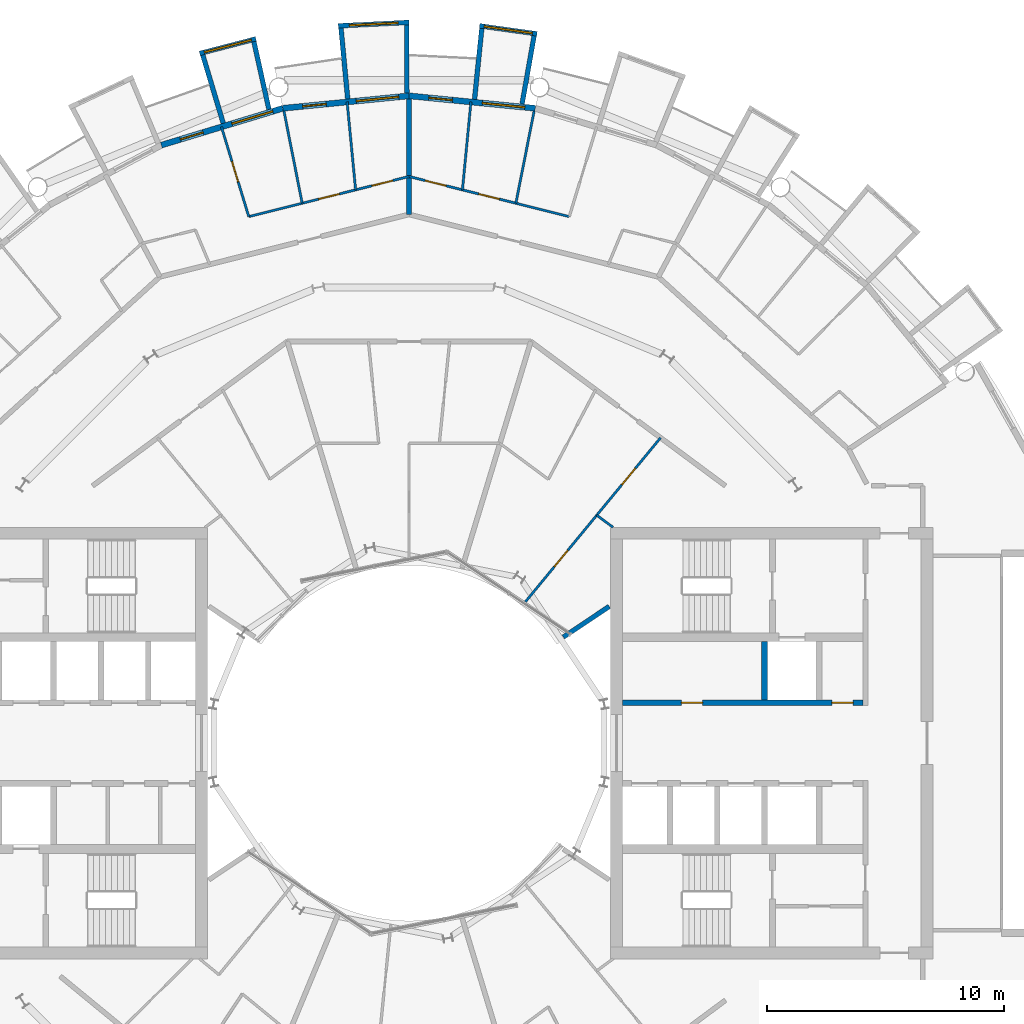
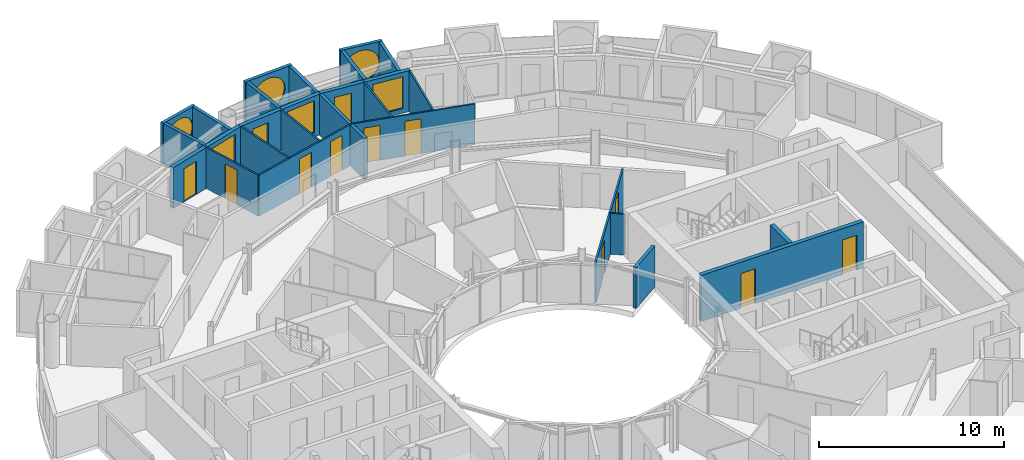
# One storey, part 21 of 27: 25 walls, 12 doors, 6 windows, 18 openings.
"""IFC4 building model written with IfcOpenShell, lengths in metres."""

from ifc_helpers import new_model, si_unit, direction, frame, frame_2d, origin, place, context, subcontext, project, spatial, rectangle, circle, extrude, material, layer, layer_set, type_object, element, fill, save


model = new_model("IFC4")

# Units and contexts
model_context = context("Model", 3, precision=1e-05, world=origin(), true_north=direction((0.0, 1.0)))
body_context = subcontext(model_context, "Body", "Model", "MODEL_VIEW")
ifc_project = project(units=[si_unit("LENGTHUNIT", "METRE"), si_unit("AREAUNIT", "SQUARE_METRE"), si_unit("VOLUMEUNIT", "CUBIC_METRE"), si_unit("PLANEANGLEUNIT", "RADIAN"), si_unit("MASSUNIT", "GRAM", prefix="KILO")], contexts=[model_context])

# Site, building, storey
site_placement = place(None, origin())
site = spatial("IfcSite", under=ifc_project, at=site_placement, CompositionType="ELEMENT")
building_placement = place(site_placement, origin())
building = spatial("IfcBuilding", under=site, at=building_placement, Name="Maasbend Ring Residences", CompositionType="ELEMENT")
storey_placement = place(building_placement, frame((0.0, 0.0, 151.300048828125)))
storey = spatial("IfcBuildingStorey", under=building, at=storey_placement, Name="L43", CompositionType="ELEMENT", Elevation=151.300048828125)

# Wall, openings, doors
ifc_material_1 = material(Name="Concrete C60/75", Category="concrete")
ifc_layer_1 = layer(ifc_material_1, 0.25)
ifc_layer_set_1 = layer_set([ifc_layer_1], Name="Concrete C60/75")
wall_type_1 = type_object("IfcWallType", Name="CORE WALL 250 C60/75", PredefinedType="SHEAR", material=ifc_layer_set_1)
wall_1_placement = place(storey_placement, frame((9.0, 1.699951171875, 0.0), z_axis=(0.0, 0.0, 1.0), x_axis=(1.0, 0.0, 0.0)))
wall_1 = element("IfcWall", 1, at=wall_1_placement, inside=storey, type_object=wall_type_1, Name="L43 core E wall SPN", PredefinedType="SHEAR", context=body_context, shape_type="SweptSolid", body=[
    extrude(rectangle(XDim=10.14990234375, YDim=0.25, at=frame_2d((5.074951171875, 0.0))), origin(), (0.0, 0.0, 1.0), 3.050048828125),
])
opening_1_placement = place(wall_1_placement, frame((2.487548828125, 0.0, 0.0)))
opening_1 = element("IfcOpeningElement", 2, at=opening_1_placement, cuts=wall_1, Name="Opening D-E4306", PredefinedType="OPENING", context=body_context, shape_type="SweptSolid", body=[
    extrude(rectangle(XDim=0.89990234375, YDim=2.300048828125, at=frame_2d((0.449951171875, 1.14990234375))), frame((0.0, 0.135009765625, 0.0), z_axis=(0.0, -1.0, 0.0), x_axis=(1.0, 0.0, 0.0)), (0.0, 0.0, 1.0), 0.27001953125),
])
opening_2_placement = place(wall_1_placement, frame((8.83740234375, 0.0, 0.0)))
opening_2 = element("IfcOpeningElement", 3, at=opening_2_placement, cuts=wall_1, Name="Opening D-E4307", PredefinedType="OPENING", context=body_context, shape_type="SweptSolid", body=[
    extrude(rectangle(XDim=0.89990234375, YDim=2.300048828125, at=frame_2d((0.449951171875, 1.14990234375))), frame((0.0, 0.135009765625, 0.0), z_axis=(0.0, -1.0, 0.0), x_axis=(1.0, 0.0, 0.0)), (0.0, 0.0, 1.0), 0.27001953125),
])
ifc_material_2 = material(Name="Steel, powder coated", Category="steel")
door_type_1 = type_object("IfcDoorType", Name="ROOM DOOR 900 X 2300 FD30S", OperationType="NOTDEFINED", PredefinedType="DOOR", material=ifc_material_2)
door_1_placement = place(opening_1_placement, origin())
door_1 = element("IfcDoor", 4, at=door_1_placement, inside=storey, type_object=door_type_1, Name="Room door L43", OperationType="SINGLE_SWING_RIGHT", OverallHeight=2.300048828125, OverallWidth=0.89990234375, PredefinedType="DOOR", context=body_context, shape_type="SweptSolid", body=[
    extrude(rectangle(XDim=0.89990234375, YDim=2.300048828125, at=frame_2d((0.449951171875, 1.14990234375))), frame((0.0, 0.02490234375, 0.0), z_axis=(0.0, -1.0, 0.0), x_axis=(1.0, 0.0, 0.0)), (0.0, 0.0, 1.0), 0.050048828125),
])
fill(opening_1, door_1)
door_2_placement = place(opening_2_placement, origin())
door_2 = element("IfcDoor", 5, at=door_2_placement, inside=storey, type_object=door_type_1, Name="Room door L43", OperationType="SINGLE_SWING_LEFT", OverallHeight=2.300048828125, OverallWidth=0.89990234375, PredefinedType="DOOR", context=body_context, shape_type="SweptSolid", body=[
    extrude(rectangle(XDim=0.89990234375, YDim=2.300048828125, at=frame_2d((0.449951171875, 1.14990234375))), frame((0.0, 0.02490234375, 0.0), z_axis=(0.0, -1.0, 0.0), x_axis=(1.0, 0.0, 0.0)), (0.0, 0.0, 1.0), 0.050048828125),
])
fill(opening_2, door_2)

# Wall, opening, window
ifc_material_3 = material(Name="Pale anodised aluminium panel", Category="aluminium")
ifc_layer_2 = layer(ifc_material_3, 0.199951171875)
ifc_layer_set_2 = layer_set([ifc_layer_2], Name="EW-BOX")
wall_type_2 = type_object("IfcWallType", Name="EW-BOX", PredefinedType="SOLIDWALL", material=ifc_layer_set_2)
wall_2_placement = place(storey_placement, frame((5.39794921875, 29.9169921875, -0.030029296875), z_axis=(0.0, 0.0, 1.0), x_axis=(-0.990462016113, 0.137786046596, 0.0)))
wall_2 = element("IfcWall", 6, at=wall_2_placement, inside=storey, type_object=wall_type_2, Name="Box front N09", PredefinedType="SOLIDWALL", context=body_context, shape_type="SweptSolid", body=[
    extrude(rectangle(XDim=2.4453125, YDim=0.199951171875, at=frame_2d((1.22265625, 0.0))), origin(), (0.0, 0.0, 1.0), 2.72998046875),
])
opening_3_placement = place(wall_2_placement, frame((0.182861328125, 0.0, 0.330078125)))
opening_3 = element("IfcOpeningElement", 7, at=opening_3_placement, cuts=wall_2, Name="Opening W-RD", PredefinedType="OPENING", context=body_context, shape_type="SweptSolid", body=[
    extrude(circle(Radius=1.0400390625, at=frame_2d((1.0400390625, 1.0400390625))), frame((0.0, 0.10986328125, 0.0), z_axis=(0.0, -1.0, 0.0), x_axis=(1.0, 0.0, 0.0)), (0.0, 0.0, 1.0), 0.219970703125),
])
ifc_material_4 = material(Name="Aluminium and clear glass", Category="aluminium")
window_type_1 = type_object("IfcWindowType", Name="W-RD", PartitioningType="SINGLE_PANEL", PredefinedType="WINDOW", material=ifc_material_4)
window_1_placement = place(opening_3_placement, origin())
window_1 = element("IfcWindow", 8, at=window_1_placement, inside=storey, type_object=window_type_1, Name="Round window N09", OverallHeight=2.080078125, OverallWidth=2.080078125, PartitioningType="SINGLE_PANEL", PredefinedType="WINDOW", context=body_context, shape_type="SweptSolid", body=[
    extrude(circle(Radius=1.0400390625, at=frame_2d((1.0400390625, 1.0400390625))), frame((0.0, 0.030029296875, 0.0), z_axis=(0.0, -1.0, 0.0), x_axis=(1.0, 0.0, 0.0)), (0.0, 0.0, 1.0), 0.06005859375),
])
fill(opening_3, window_1)

# Walls
wall_3_placement = place(storey_placement, frame((4.76904296875, 26.9560546875, -0.030029296875), z_axis=(0.0, 0.0, 1.0), x_axis=(0.174056778901, 0.984735618183, 0.0)))
element("IfcWall", 9, at=wall_3_placement, inside=storey, type_object=wall_type_2, Name="Box side wall N09 left", PredefinedType="SOLIDWALL", context=body_context, shape_type="SweptSolid", body=[
    extrude(rectangle(XDim=2.924560546875, YDim=0.199951171875, at=frame_2d((1.46240234375, 0.0))), origin(), (0.0, 0.0, 1.0), 2.72998046875),
])
wall_4_placement = place(storey_placement, frame((2.763916015625, 27.153076171875, -0.030029296875), z_axis=(0.0, 0.0, 1.0), x_axis=(0.101505487237, 0.994834979311, 0.0)))
element("IfcWall", 10, at=wall_4_placement, inside=storey, type_object=wall_type_2, Name="Box side wall N09 right", PredefinedType="SOLIDWALL", context=body_context, shape_type="SweptSolid", body=[
    extrude(rectangle(XDim=3.006591796875, YDim=0.199951171875, at=frame_2d((1.50341796875, 0.0))), origin(), (0.0, 0.0, 1.0), 2.72998046875),
])

# Wall, opening, window
wall_5_placement = place(storey_placement, frame((0.0048828125, 30.39990234375, -0.030029296875), z_axis=(0.0, 0.0, 1.0), x_axis=(-0.998794083011, -0.049095618353, 0.0)))
wall_5 = element("IfcWall", 11, at=wall_5_placement, inside=storey, type_object=wall_type_2, Name="Box front N11", PredefinedType="SOLIDWALL", context=body_context, shape_type="SweptSolid", body=[
    extrude(rectangle(XDim=2.99365234375, YDim=0.199951171875, at=frame_2d((1.496826171875, 0.0))), origin(), (0.0, 0.0, 1.0), 2.72998046875),
])
opening_4_placement = place(wall_5_placement, frame((0.45654296875, 0.0, 0.330078125)))
opening_4 = element("IfcOpeningElement", 12, at=opening_4_placement, cuts=wall_5, Name="Opening W-RD", PredefinedType="OPENING", context=body_context, shape_type="SweptSolid", body=[
    extrude(circle(Radius=1.0400390625, at=frame_2d((1.0400390625, 1.0400390625))), frame((0.0, 0.10986328125, 0.0), z_axis=(0.0, -1.0, 0.0), x_axis=(1.0, 0.0, 0.0)), (0.0, 0.0, 1.0), 0.219970703125),
])
window_2_placement = place(opening_4_placement, origin())
window_2 = element("IfcWindow", 13, at=window_2_placement, inside=storey, type_object=window_type_1, Name="Round window N11", OverallHeight=2.080078125, OverallWidth=2.080078125, PartitioningType="SINGLE_PANEL", PredefinedType="WINDOW", context=body_context, shape_type="SweptSolid", body=[
    extrude(circle(Radius=1.0400390625, at=frame_2d((1.0400390625, 1.0400390625))), frame((0.0, 0.030029296875, 0.0), z_axis=(0.0, -1.0, 0.0), x_axis=(1.0, 0.0, 0.0)), (0.0, 0.0, 1.0), 0.06005859375),
])
fill(opening_4, window_2)

# Walls
wall_6_placement = place(storey_placement, frame((-0.090087890625, 27.4169921875, -0.030029296875), z_axis=(0.0, 0.0, 1.0), x_axis=(-0.00347308367, 0.999993968827, 0.0)))
element("IfcWall", 14, at=wall_6_placement, inside=storey, type_object=wall_type_2, Name="Box side wall N11 left", PredefinedType="SOLIDWALL", context=body_context, shape_type="SweptSolid", body=[
    extrude(rectangle(XDim=2.882080078125, YDim=0.199951171875, at=frame_2d((1.44091796875, 0.0))), origin(), (0.0, 0.0, 1.0), 2.72998046875),
])
wall_7_placement = place(storey_placement, frame((-2.5859375, 27.1708984375, -0.030029296875), z_axis=(0.0, 0.0, 1.0), x_axis=(-0.094548432284, 0.995520262954, 0.0)))
element("IfcWall", 15, at=wall_7_placement, inside=storey, type_object=wall_type_2, Name="Box side wall N11 right", PredefinedType="SOLIDWALL", context=body_context, shape_type="SweptSolid", body=[
    extrude(rectangle(XDim=3.005615234375, YDim=0.199951171875, at=frame_2d((1.5029296875, 0.0))), origin(), (0.0, 0.0, 1.0), 2.72998046875),
])

# Wall, opening, window
wall_8_placement = place(storey_placement, frame((-6.4609375, 29.705078125, -0.030029296875), z_axis=(0.0, 0.0, 1.0), x_axis=(-0.96789536872, -0.251353446784, 0.0)))
wall_8 = element("IfcWall", 16, at=wall_8_placement, inside=storey, type_object=wall_type_2, Name="Box front N13", PredefinedType="SOLIDWALL", context=body_context, shape_type="SweptSolid", body=[
    extrude(rectangle(XDim=2.44677734375, YDim=0.199951171875, at=frame_2d((1.223388671875, 0.0))), origin(), (0.0, 0.0, 1.0), 2.72998046875),
])
opening_5_placement = place(wall_8_placement, frame((0.182861328125, 0.0, 0.330078125)))
opening_5 = element("IfcOpeningElement", 17, at=opening_5_placement, cuts=wall_8, Name="Opening W-RD", PredefinedType="OPENING", context=body_context, shape_type="SweptSolid", body=[
    extrude(circle(Radius=1.0400390625, at=frame_2d((1.0400390625, 1.0400390625))), frame((0.0, 0.10986328125, 0.0), z_axis=(0.0, -1.0, 0.0), x_axis=(1.0, 0.0, 0.0)), (0.0, 0.0, 1.0), 0.219970703125),
])
window_3_placement = place(opening_5_placement, origin())
window_3 = element("IfcWindow", 18, at=window_3_placement, inside=storey, type_object=window_type_1, Name="Round window N13", OverallHeight=2.080078125, OverallWidth=2.080078125, PartitioningType="SINGLE_PANEL", PredefinedType="WINDOW", context=body_context, shape_type="SweptSolid", body=[
    extrude(circle(Radius=1.0400390625, at=frame_2d((1.0400390625, 1.0400390625))), frame((0.0, 0.030029296875, 0.0), z_axis=(0.0, -1.0, 0.0), x_axis=(1.0, 0.0, 0.0)), (0.0, 0.0, 1.0), 0.06005859375),
])
fill(opening_5, window_3)

# Walls
wall_9_placement = place(storey_placement, frame((-5.908935546875, 26.72900390625, -0.030029296875), z_axis=(0.0, 0.0, 1.0), x_axis=(-0.216409053917, 0.976302781612, 0.0)))
element("IfcWall", 19, at=wall_9_placement, inside=storey, type_object=wall_type_2, Name="Box side wall N13 left", PredefinedType="SOLIDWALL", context=body_context, shape_type="SweptSolid", body=[
    extrude(rectangle(XDim=2.92529296875, YDim=0.199951171875, at=frame_2d((1.462646484375, 0.0))), origin(), (0.0, 0.0, 1.0), 2.72998046875),
])
wall_10_placement = place(storey_placement, frame((-7.8369140625, 26.14404296875, -0.030029296875), z_axis=(0.0, 0.0, 1.0), x_axis=(-0.287064767992, 0.957911174889, 0.0)))
element("IfcWall", 20, at=wall_10_placement, inside=storey, type_object=wall_type_2, Name="Box side wall N13 right", PredefinedType="SOLIDWALL", context=body_context, shape_type="SweptSolid", body=[
    extrude(rectangle(XDim=3.00634765625, YDim=0.199951171875, at=frame_2d((1.503173828125, 0.0))), origin(), (0.0, 0.0, 1.0), 2.72998046875),
])

# Wall, openings, door, window
ifc_material_5 = material(Name="Aluminium clad insulated panel", Category="aluminium")
ifc_layer_3 = layer(ifc_material_5, 0.25)
ifc_layer_set_3 = layer_set([ifc_layer_3], Name="EW-GL")
wall_type_3 = type_object("IfcWallType", Name="EW-GL", PredefinedType="SOLIDWALL", material=ifc_layer_set_3)
wall_11_placement = place(storey_placement, frame((5.325927734375, 26.77490234375, 0.0), z_axis=(0.0, 0.0, 1.0), x_axis=(-0.995173996315, 0.098126026407, 0.0)))
wall_11 = element("IfcWall", 21, at=wall_11_placement, inside=storey, type_object=wall_type_3, Name="External wall N05", PredefinedType="SOLIDWALL", context=body_context, shape_type="SweptSolid", body=[
    extrude(rectangle(XDim=5.351806640625, YDim=0.25, at=frame_2d((2.67578125, 0.0))), origin(), (0.0, 0.0, 1.0), 2.699951171875),
])
opening_6_placement = place(wall_11_placement, frame((0.441162109375, 0.0, 0.300048828125)))
opening_6 = element("IfcOpeningElement", 22, at=opening_6_placement, cuts=wall_11, Name="Opening W-BX", PredefinedType="OPENING", context=body_context, shape_type="SweptSolid", body=[
    extrude(rectangle(XDim=1.800048828125, YDim=2.10009765625, at=frame_2d((0.89990234375, 1.050048828125))), frame((0.0, 0.135009765625, 0.0), z_axis=(0.0, -1.0, 0.0), x_axis=(1.0, 0.0, 0.0)), (0.0, 0.0, 1.0), 0.27001953125),
])
opening_7_placement = place(wall_11_placement, frame((3.510498046875, 0.0, 0.0)))
opening_7 = element("IfcOpeningElement", 23, at=opening_7_placement, cuts=wall_11, Name="Opening D-LG", PredefinedType="OPENING", context=body_context, shape_type="SweptSolid", body=[
    extrude(rectangle(XDim=1.0, YDim=2.199951171875, at=frame_2d((0.5, 1.10009765625))), frame((0.0, 0.135009765625, 0.0), z_axis=(0.0, -1.0, 0.0), x_axis=(1.0, 0.0, 0.0)), (0.0, 0.0, 1.0), 0.27001953125),
])
ifc_material_6 = material(Name="Aluminium and clear glass", Category="aluminium")
door_type_2 = type_object("IfcDoorType", Name="D-LG", OperationType="SINGLE_SWING_LEFT", PredefinedType="DOOR", material=ifc_material_6)
door_3_placement = place(opening_7_placement, origin())
door_3 = element("IfcDoor", 24, at=door_3_placement, inside=storey, type_object=door_type_2, Name="Loggia door N10", OperationType="SINGLE_SWING_LEFT", OverallHeight=2.199951171875, OverallWidth=1.0, PredefinedType="DOOR", context=body_context, shape_type="SweptSolid", body=[
    extrude(rectangle(XDim=1.0, YDim=2.199951171875, at=frame_2d((0.5, 1.10009765625))), frame((0.0, 0.02490234375, 0.0), z_axis=(0.0, -1.0, 0.0), x_axis=(1.0, 0.0, 0.0)), (0.0, 0.0, 1.0), 0.050048828125),
])
fill(opening_7, door_3)
ifc_material_7 = material(Name="Aluminium and clear glass", Category="aluminium")
window_type_2 = type_object("IfcWindowType", Name="W-BX", PartitioningType="DOUBLE_PANEL_VERTICAL", PredefinedType="WINDOW", material=ifc_material_7)
window_4_placement = place(opening_6_placement, origin())
window_4 = element("IfcWindow", 25, at=window_4_placement, inside=storey, type_object=window_type_2, Name="Window N09 room to box", OverallHeight=2.10009765625, OverallWidth=1.800048828125, PartitioningType="SINGLE_PANEL", PredefinedType="WINDOW", context=body_context, shape_type="SweptSolid", body=[
    extrude(rectangle(XDim=1.800048828125, YDim=2.10009765625, at=frame_2d((0.89990234375, 1.050048828125))), frame((0.0, 0.030029296875, 0.0), z_axis=(0.0, -1.0, 0.0), x_axis=(1.0, 0.0, 0.0)), (0.0, 0.0, 1.0), 0.06005859375),
])
fill(opening_6, window_4)

wall_12_placement = place(storey_placement, frame((0.0, 27.300048828125, 0.0), z_axis=(0.0, 0.0, 1.0), x_axis=(-0.995173996315, -0.098126026407, 0.0)))
wall_12 = element("IfcWall", 26, at=wall_12_placement, inside=storey, type_object=wall_type_3, Name="External wall N06", PredefinedType="SOLIDWALL", context=body_context, shape_type="SweptSolid", body=[
    extrude(rectangle(XDim=5.351806640625, YDim=0.25, at=frame_2d((2.67578125, 0.0))), origin(), (0.0, 0.0, 1.0), 2.699951171875),
])
opening_8_placement = place(wall_12_placement, frame((0.441162109375, 0.0, 0.300048828125)))
opening_8 = element("IfcOpeningElement", 27, at=opening_8_placement, cuts=wall_12, Name="Opening W-BX", PredefinedType="OPENING", context=body_context, shape_type="SweptSolid", body=[
    extrude(rectangle(XDim=1.800048828125, YDim=2.10009765625, at=frame_2d((0.89990234375, 1.050048828125))), frame((0.0, 0.135009765625, 0.0), z_axis=(0.0, -1.0, 0.0), x_axis=(1.0, 0.0, 0.0)), (0.0, 0.0, 1.0), 0.27001953125),
])
opening_9_placement = place(wall_12_placement, frame((3.510498046875, 0.0, 0.0)))
opening_9 = element("IfcOpeningElement", 28, at=opening_9_placement, cuts=wall_12, Name="Opening D-LG", PredefinedType="OPENING", context=body_context, shape_type="SweptSolid", body=[
    extrude(rectangle(XDim=1.0, YDim=2.199951171875, at=frame_2d((0.5, 1.10009765625))), frame((0.0, 0.135009765625, 0.0), z_axis=(0.0, -1.0, 0.0), x_axis=(1.0, 0.0, 0.0)), (0.0, 0.0, 1.0), 0.27001953125),
])
door_4_placement = place(opening_9_placement, origin())
door_4 = element("IfcDoor", 29, at=door_4_placement, inside=storey, type_object=door_type_2, Name="Loggia door N12", OperationType="SINGLE_SWING_LEFT", OverallHeight=2.199951171875, OverallWidth=1.0, PredefinedType="DOOR", context=body_context, shape_type="SweptSolid", body=[
    extrude(rectangle(XDim=1.0, YDim=2.199951171875, at=frame_2d((0.5, 1.10009765625))), frame((0.0, 0.02490234375, 0.0), z_axis=(0.0, -1.0, 0.0), x_axis=(1.0, 0.0, 0.0)), (0.0, 0.0, 1.0), 0.050048828125),
])
fill(opening_9, door_4)
window_5_placement = place(opening_8_placement, origin())
window_5 = element("IfcWindow", 30, at=window_5_placement, inside=storey, type_object=window_type_2, Name="Window N11 room to box", OverallHeight=2.10009765625, OverallWidth=1.800048828125, PartitioningType="SINGLE_PANEL", PredefinedType="WINDOW", context=body_context, shape_type="SweptSolid", body=[
    extrude(rectangle(XDim=1.800048828125, YDim=2.10009765625, at=frame_2d((0.89990234375, 1.050048828125))), frame((0.0, 0.030029296875, 0.0), z_axis=(0.0, -1.0, 0.0), x_axis=(1.0, 0.0, 0.0)), (0.0, 0.0, 1.0), 0.06005859375),
])
fill(opening_8, window_5)

wall_13_placement = place(storey_placement, frame((-5.325927734375, 26.77490234375, 0.0), z_axis=(0.0, 0.0, 1.0), x_axis=(-0.956965678721, -0.290201119486, 0.0)))
wall_13 = element("IfcWall", 31, at=wall_13_placement, inside=storey, type_object=wall_type_3, Name="External wall N07", PredefinedType="SOLIDWALL", context=body_context, shape_type="SweptSolid", body=[
    extrude(rectangle(XDim=5.351318359375, YDim=0.25, at=frame_2d((2.67578125, 0.0))), origin(), (0.0, 0.0, 1.0), 2.699951171875),
])
opening_10_placement = place(wall_13_placement, frame((0.441162109375, 0.0, 0.300048828125)))
opening_10 = element("IfcOpeningElement", 32, at=opening_10_placement, cuts=wall_13, Name="Opening W-BX", PredefinedType="OPENING", context=body_context, shape_type="SweptSolid", body=[
    extrude(rectangle(XDim=1.800048828125, YDim=2.10009765625, at=frame_2d((0.89990234375, 1.050048828125))), frame((0.0, 0.135009765625, 0.0), z_axis=(0.0, -1.0, 0.0), x_axis=(1.0, 0.0, 0.0)), (0.0, 0.0, 1.0), 0.27001953125),
])
opening_11_placement = place(wall_13_placement, frame((3.510498046875, 0.0, 0.0)))
opening_11 = element("IfcOpeningElement", 33, at=opening_11_placement, cuts=wall_13, Name="Opening D-LG", PredefinedType="OPENING", context=body_context, shape_type="SweptSolid", body=[
    extrude(rectangle(XDim=1.0, YDim=2.199951171875, at=frame_2d((0.5, 1.10009765625))), frame((0.0, 0.135009765625, 0.0), z_axis=(0.0, -1.0, 0.0), x_axis=(1.0, 0.0, 0.0)), (0.0, 0.0, 1.0), 0.27001953125),
])
door_5_placement = place(opening_11_placement, origin())
door_5 = element("IfcDoor", 34, at=door_5_placement, inside=storey, type_object=door_type_2, Name="Loggia door N14", OperationType="SINGLE_SWING_LEFT", OverallHeight=2.199951171875, OverallWidth=1.0, PredefinedType="DOOR", context=body_context, shape_type="SweptSolid", body=[
    extrude(rectangle(XDim=1.0, YDim=2.199951171875, at=frame_2d((0.5, 1.10009765625))), frame((0.0, 0.02490234375, 0.0), z_axis=(0.0, -1.0, 0.0), x_axis=(1.0, 0.0, 0.0)), (0.0, 0.0, 1.0), 0.050048828125),
])
fill(opening_11, door_5)
window_6_placement = place(opening_10_placement, origin())
window_6 = element("IfcWindow", 35, at=window_6_placement, inside=storey, type_object=window_type_2, Name="Window N13 room to box", OverallHeight=2.10009765625, OverallWidth=1.800048828125, PartitioningType="SINGLE_PANEL", PredefinedType="WINDOW", context=body_context, shape_type="SweptSolid", body=[
    extrude(rectangle(XDim=1.800048828125, YDim=2.10009765625, at=frame_2d((0.89990234375, 1.050048828125))), frame((0.0, 0.030029296875, 0.0), z_axis=(0.0, -1.0, 0.0), x_axis=(1.0, 0.0, 0.0)), (0.0, 0.0, 1.0), 0.06005859375),
])
fill(opening_10, window_6)

# Wall, opening, door
ifc_material_8 = material(Name="Gypsum board on steel studs", Category="steel")
ifc_layer_4 = layer(ifc_material_8, 0.10009765625)
ifc_layer_set_4 = layer_set([ifc_layer_4], Name="PARTITION 100 GYPSUM")
wall_type_4 = type_object("IfcWallType", Name="PARTITION 100 GYPSUM", PredefinedType="PARTITIONING", material=ifc_layer_set_4)
wall_14_placement = place(storey_placement, frame((-7.9140625, 25.9970703125, 0.0), z_axis=(0.0, 0.0, 1.0), x_axis=(0.291291575636, -0.956634317785, 0.0)))
wall_14 = element("IfcWall", 36, at=wall_14_placement, inside=storey, type_object=wall_type_4, Name="U-L43-w051", PredefinedType="PARTITIONING", context=body_context, shape_type="SweptSolid", body=[
    extrude(rectangle(XDim=3.9619140625, YDim=0.10009765625, at=frame_2d((1.98095703125, 0.0))), origin(), (0.0, 0.0, 1.0), 2.699951171875),
])
opening_12_placement = place(wall_14_placement, frame((1.531005859375, 0.0, 0.0)))
opening_12 = element("IfcOpeningElement", 37, at=opening_12_placement, cuts=wall_14, Name="Opening D-4313", PredefinedType="OPENING", context=body_context, shape_type="SweptSolid", body=[
    extrude(rectangle(XDim=0.89990234375, YDim=2.300048828125, at=frame_2d((0.449951171875, 1.14990234375))), frame((0.0, 0.06005859375, 0.0), z_axis=(0.0, -1.0, 0.0), x_axis=(1.0, 0.0, 0.0)), (0.0, 0.0, 1.0), 0.1201171875),
])
ifc_material_9 = material(Name="Timber, painted", Category="wood")
door_type_3 = type_object("IfcDoorType", Name="INTERNAL DOOR 900 X 2300", OperationType="NOTDEFINED", PredefinedType="DOOR", material=ifc_material_9)
door_6_placement = place(opening_12_placement, origin())
door_6 = element("IfcDoor", 38, at=door_6_placement, inside=storey, type_object=door_type_3, Name="D-4313", OperationType="SINGLE_SWING_RIGHT", OverallHeight=2.300048828125, OverallWidth=0.89990234375, PredefinedType="DOOR", context=body_context, shape_type="SweptSolid", body=[
    extrude(rectangle(XDim=0.89990234375, YDim=2.300048828125, at=frame_2d((0.449951171875, 1.14990234375))), frame((0.0, 0.02490234375, 0.0), z_axis=(0.0, -1.0, 0.0), x_axis=(1.0, 0.0, 0.0)), (0.0, 0.0, 1.0), 0.050048828125),
])
fill(opening_12, door_6)

# Walls
wall_15_placement = place(storey_placement, frame((-5.27587890625, 26.657958984375, 0.0), z_axis=(0.0, 0.0, 1.0), x_axis=(0.194030211642, -0.980995554001, 0.0)))
element("IfcWall", 39, at=wall_15_placement, inside=storey, type_object=wall_type_4, Name="U-L43-w055", PredefinedType="PARTITIONING", context=body_context, shape_type="SweptSolid", body=[
    extrude(rectangle(XDim=3.962158203125, YDim=0.10009765625, at=frame_2d((1.98095703125, 0.0))), origin(), (0.0, 0.0, 1.0), 2.699951171875),
])
for number, where, z_axis, x_axis, name in (
    (40, (-2.612060546875, 27.049072265625, 0.0), (0.0, 0.0, 1.0), (0.09626981452, -0.995355274669, 0.0), "U-L43-w057"),
    (41, (2.2529296875, 23.3359375, 0.0), (0.0, 0.0, 1.0), (0.09626981452, 0.995355274669, 0.0), "U-L43-w068"),
):
    element("IfcWall", number, at=place(storey_placement, frame(where, z_axis=z_axis, x_axis=x_axis)), inside=storey, type_object=wall_type_4, Name=name, PredefinedType="PARTITIONING", context=body_context, shape_type="SweptSolid", body=[
        extrude(rectangle(XDim=3.73046875, YDim=0.10009765625, at=frame_2d((1.865234375, 0.0))), origin(), (0.0, 0.0, 1.0), 2.699951171875),
    ])
wall_16_placement = place(storey_placement, frame((4.507080078125, 22.77099609375, 0.0), z_axis=(0.0, 0.0, 1.0), x_axis=(0.194030211642, 0.980995554001, 0.0)))
element("IfcWall", 42, at=wall_16_placement, inside=storey, type_object=wall_type_4, Name="U-L43-w069", PredefinedType="PARTITIONING", context=body_context, shape_type="SweptSolid", body=[
    extrude(rectangle(XDim=3.962158203125, YDim=0.10009765625, at=frame_2d((1.98095703125, 0.0))), origin(), (0.0, 0.0, 1.0), 2.699951171875),
])

# Wall, openings, doors
wall_17_placement = place(storey_placement, frame((4.908935546875, 5.9580078125, 0.0), z_axis=(0.0, 0.0, 1.0), x_axis=(0.635879010442, 0.771788756124, 0.0)))
wall_17 = element("IfcWall", 43, at=wall_17_placement, inside=storey, type_object=wall_type_4, Name="U-L43-w072", PredefinedType="PARTITIONING", context=body_context, shape_type="SweptSolid", body=[
    extrude(rectangle(XDim=8.96728515625, YDim=0.10009765625, at=frame_2d((4.483642578125, 0.0))), origin(), (0.0, 0.0, 1.0), 2.699951171875),
])
opening_13_placement = place(wall_17_placement, frame((6.39990234375, 0.0, 0.0)))
opening_13 = element("IfcOpeningElement", 44, at=opening_13_placement, cuts=wall_17, Name="Opening D-4323", PredefinedType="OPENING", context=body_context, shape_type="SweptSolid", body=[
    extrude(rectangle(XDim=0.89990234375, YDim=2.300048828125, at=frame_2d((0.449951171875, 1.14990234375))), frame((0.0, 0.06005859375, 0.0), z_axis=(0.0, -1.0, 0.0), x_axis=(1.0, 0.0, 0.0)), (0.0, 0.0, 1.0), 0.1201171875),
])
opening_14_placement = place(wall_17_placement, frame((1.9169921875, 0.0, 0.0)))
opening_14 = element("IfcOpeningElement", 45, at=opening_14_placement, cuts=wall_17, Name="Opening D-4324", PredefinedType="OPENING", context=body_context, shape_type="SweptSolid", body=[
    extrude(rectangle(XDim=0.89990234375, YDim=2.300048828125, at=frame_2d((0.449951171875, 1.14990234375))), frame((0.0, 0.06005859375, 0.0), z_axis=(0.0, -1.0, 0.0), x_axis=(1.0, 0.0, 0.0)), (0.0, 0.0, 1.0), 0.1201171875),
])
door_7_placement = place(opening_13_placement, origin())
door_7 = element("IfcDoor", 46, at=door_7_placement, inside=storey, type_object=door_type_3, Name="D-4323", OperationType="SINGLE_SWING_RIGHT", OverallHeight=2.300048828125, OverallWidth=0.89990234375, PredefinedType="DOOR", context=body_context, shape_type="SweptSolid", body=[
    extrude(rectangle(XDim=0.89990234375, YDim=2.300048828125, at=frame_2d((0.449951171875, 1.14990234375))), frame((0.0, 0.02490234375, 0.0), z_axis=(0.0, -1.0, 0.0), x_axis=(1.0, 0.0, 0.0)), (0.0, 0.0, 1.0), 0.050048828125),
])
fill(opening_13, door_7)
door_8_placement = place(opening_14_placement, origin())
door_8 = element("IfcDoor", 47, at=door_8_placement, inside=storey, type_object=door_type_3, Name="D-4324", OperationType="SINGLE_SWING_LEFT", OverallHeight=2.300048828125, OverallWidth=0.89990234375, PredefinedType="DOOR", context=body_context, shape_type="SweptSolid", body=[
    extrude(rectangle(XDim=0.89990234375, YDim=2.300048828125, at=frame_2d((0.449951171875, 1.14990234375))), frame((0.0, 0.02490234375, 0.0), z_axis=(0.0, -1.0, 0.0), x_axis=(1.0, 0.0, 0.0)), (0.0, 0.0, 1.0), 0.050048828125),
])
fill(opening_14, door_8)

# Wall
wall_18_placement = place(storey_placement, frame((7.91796875, 9.611083984375, 0.0), z_axis=(0.0, 0.0, 1.0), x_axis=(0.803199066515, -0.595710718007, 0.0)))
element("IfcWall", 48, at=wall_18_placement, inside=storey, type_object=wall_type_4, Name="U-L43-w096", PredefinedType="PARTITIONING", context=body_context, shape_type="SweptSolid", body=[
    extrude(rectangle(XDim=0.857666015625, YDim=0.10009765625, at=frame_2d((0.4287109375, 0.0))), origin(), (0.0, 0.0, 1.0), 2.699951171875),
])

# Wall, openings, doors
wall_19_placement = place(storey_placement, frame((-6.760009765625, 22.2060546875, 0.0), z_axis=(0.0, 0.0, 1.0), x_axis=(0.970070358667, 0.242824008772, 0.0)))
wall_19 = element("IfcWall", 49, at=wall_19_placement, inside=storey, type_object=wall_type_4, Name="U-L43-w113", PredefinedType="PARTITIONING", context=body_context, shape_type="SweptSolid", body=[
    extrude(rectangle(XDim=6.9716796875, YDim=0.10009765625, at=frame_2d((3.48583984375, 0.0))), origin(), (0.0, 0.0, 1.0), 2.699951171875),
])
opening_15_placement = place(wall_19_placement, frame((3.037109375, 0.0, 0.0)))
opening_15 = element("IfcOpeningElement", 50, at=opening_15_placement, cuts=wall_19, Name="Opening D-4314", PredefinedType="OPENING", context=body_context, shape_type="SweptSolid", body=[
    extrude(rectangle(XDim=0.89990234375, YDim=2.300048828125, at=frame_2d((0.449951171875, 1.14990234375))), frame((0.0, 0.06005859375, 0.0), z_axis=(0.0, -1.0, 0.0), x_axis=(1.0, 0.0, 0.0)), (0.0, 0.0, 1.0), 0.1201171875),
])
opening_16_placement = place(wall_19_placement, frame((5.35693359375, 0.0, 0.0)))
opening_16 = element("IfcOpeningElement", 51, at=opening_16_placement, cuts=wall_19, Name="Opening D-4315", PredefinedType="OPENING", context=body_context, shape_type="SweptSolid", body=[
    extrude(rectangle(XDim=0.89990234375, YDim=2.300048828125, at=frame_2d((0.449951171875, 1.14990234375))), frame((0.0, 0.06005859375, 0.0), z_axis=(0.0, -1.0, 0.0), x_axis=(1.0, 0.0, 0.0)), (0.0, 0.0, 1.0), 0.1201171875),
])
door_9_placement = place(opening_15_placement, origin())
door_9 = element("IfcDoor", 52, at=door_9_placement, inside=storey, type_object=door_type_3, Name="D-4314", OperationType="SINGLE_SWING_RIGHT", OverallHeight=2.300048828125, OverallWidth=0.89990234375, PredefinedType="DOOR", context=body_context, shape_type="SweptSolid", body=[
    extrude(rectangle(XDim=0.89990234375, YDim=2.300048828125, at=frame_2d((0.449951171875, 1.14990234375))), frame((0.0, 0.02490234375, 0.0), z_axis=(0.0, -1.0, 0.0), x_axis=(1.0, 0.0, 0.0)), (0.0, 0.0, 1.0), 0.050048828125),
])
fill(opening_15, door_9)
door_10_placement = place(opening_16_placement, origin())
door_10 = element("IfcDoor", 53, at=door_10_placement, inside=storey, type_object=door_type_3, Name="D-4315", OperationType="SINGLE_SWING_RIGHT", OverallHeight=2.300048828125, OverallWidth=0.89990234375, PredefinedType="DOOR", context=body_context, shape_type="SweptSolid", body=[
    extrude(rectangle(XDim=0.89990234375, YDim=2.300048828125, at=frame_2d((0.449951171875, 1.14990234375))), frame((0.0, 0.02490234375, 0.0), z_axis=(0.0, -1.0, 0.0), x_axis=(1.0, 0.0, 0.0)), (0.0, 0.0, 1.0), 0.050048828125),
])
fill(opening_16, door_10)

wall_20_placement = place(storey_placement, frame((-0.0029296875, 23.89892578125, 0.0), z_axis=(0.0, 0.0, 1.0), x_axis=(0.970070358667, -0.242824008772, 0.0)))
wall_20 = element("IfcWall", 54, at=wall_20_placement, inside=storey, type_object=wall_type_4, Name="U-L43-w114", PredefinedType="PARTITIONING", context=body_context, shape_type="SweptSolid", body=[
    extrude(rectangle(XDim=6.9716796875, YDim=0.10009765625, at=frame_2d((3.48583984375, 0.0))), origin(), (0.0, 0.0, 1.0), 2.699951171875),
])
opening_17_placement = place(wall_20_placement, frame((3.034912109375, 0.0, 0.0)))
opening_17 = element("IfcOpeningElement", 55, at=opening_17_placement, cuts=wall_20, Name="Opening D-4309", PredefinedType="OPENING", context=body_context, shape_type="SweptSolid", body=[
    extrude(rectangle(XDim=0.89990234375, YDim=2.300048828125, at=frame_2d((0.449951171875, 1.14990234375))), frame((0.0, 0.06005859375, 0.0), z_axis=(0.0, -1.0, 0.0), x_axis=(1.0, 0.0, 0.0)), (0.0, 0.0, 1.0), 0.1201171875),
])
opening_18_placement = place(wall_20_placement, frame((0.715087890625, 0.0, 0.0)))
opening_18 = element("IfcOpeningElement", 56, at=opening_18_placement, cuts=wall_20, Name="Opening D-4310", PredefinedType="OPENING", context=body_context, shape_type="SweptSolid", body=[
    extrude(rectangle(XDim=0.89990234375, YDim=2.300048828125, at=frame_2d((0.449951171875, 1.14990234375))), frame((0.0, 0.06005859375, 0.0), z_axis=(0.0, -1.0, 0.0), x_axis=(1.0, 0.0, 0.0)), (0.0, 0.0, 1.0), 0.1201171875),
])
door_11_placement = place(opening_17_placement, origin())
door_11 = element("IfcDoor", 57, at=door_11_placement, inside=storey, type_object=door_type_3, Name="D-4309", OperationType="SINGLE_SWING_LEFT", OverallHeight=2.300048828125, OverallWidth=0.89990234375, PredefinedType="DOOR", context=body_context, shape_type="SweptSolid", body=[
    extrude(rectangle(XDim=0.89990234375, YDim=2.300048828125, at=frame_2d((0.449951171875, 1.14990234375))), frame((0.0, 0.02490234375, 0.0), z_axis=(0.0, -1.0, 0.0), x_axis=(1.0, 0.0, 0.0)), (0.0, 0.0, 1.0), 0.050048828125),
])
fill(opening_17, door_11)
door_12_placement = place(opening_18_placement, origin())
door_12 = element("IfcDoor", 58, at=door_12_placement, inside=storey, type_object=door_type_3, Name="D-4310", OperationType="SINGLE_SWING_LEFT", OverallHeight=2.300048828125, OverallWidth=0.89990234375, PredefinedType="DOOR", context=body_context, shape_type="SweptSolid", body=[
    extrude(rectangle(XDim=0.89990234375, YDim=2.300048828125, at=frame_2d((0.449951171875, 1.14990234375))), frame((0.0, 0.02490234375, 0.0), z_axis=(0.0, -1.0, 0.0), x_axis=(1.0, 0.0, 0.0)), (0.0, 0.0, 1.0), 0.050048828125),
])
fill(opening_18, door_12)

# Walls
ifc_material_10 = material(Name="Concrete C30/37", Category="concrete")
ifc_layer_5 = layer(ifc_material_10, 0.199951171875)
ifc_layer_set_5 = layer_set([ifc_layer_5], Name="Concrete C30/37")
wall_type_5 = type_object("IfcWallType", Name="PARTY WALL 200 CONCRETE", PredefinedType="PARTITIONING", material=ifc_layer_set_5)
wall_21_placement = place(storey_placement, frame((0.0, 22.300048828125, 0.0), z_axis=(0.0, 0.0, 1.0), x_axis=(0.0, 1.0, 0.0)))
element("IfcWall", 59, at=wall_21_placement, inside=storey, type_object=wall_type_5, Name="U-L43-w061", PredefinedType="PARTITIONING", context=body_context, shape_type="SweptSolid", body=[
    extrude(rectangle(XDim=4.875, YDim=0.199951171875, at=frame_2d((2.4375, 0.0))), origin(), (0.0, 0.0, 1.0), 2.699951171875),
])
wall_22_placement = place(storey_placement, frame((6.512939453125, 4.471923828125, 0.0), z_axis=(0.0, 0.0, 1.0), x_axis=(0.83133816625, 0.555766905579, 0.0)))
element("IfcWall", 60, at=wall_22_placement, inside=storey, type_object=wall_type_5, Name="U-L43-w090", PredefinedType="PARTITIONING", context=body_context, shape_type="SweptSolid", body=[
    extrude(rectangle(XDim=2.322998046875, YDim=0.199951171875, at=frame_2d((1.16162109375, 0.0))), origin(), (0.0, 0.0, 1.0), 2.699951171875),
])
ifc_material_11 = material(Name="Concrete C30/37", Category="concrete")
ifc_layer_6 = layer(ifc_material_11, 0.25)
ifc_layer_set_6 = layer_set([ifc_layer_6], Name="Concrete C30/37")
wall_type_6 = type_object("IfcWallType", Name="SHAFT WALL 250 EI 120", PredefinedType="SOLIDWALL", material=ifc_layer_set_6)
wall_23_placement = place(storey_placement, frame((15.0, 1.824951171875, 0.0), z_axis=(0.0, 0.0, 1.0), x_axis=(0.0, 1.0, 0.0)))
element("IfcWall", 61, at=wall_23_placement, inside=storey, type_object=wall_type_6, Name="L43 core E wall D150N", PredefinedType="SOLIDWALL", context=body_context, shape_type="SweptSolid", body=[
    extrude(rectangle(XDim=2.449951171875, YDim=0.25, at=frame_2d((1.22509765625, 0.0))), origin(), (0.0, 0.0, 1.0), 2.699951171875),
])

save(model, "model.ifc")
